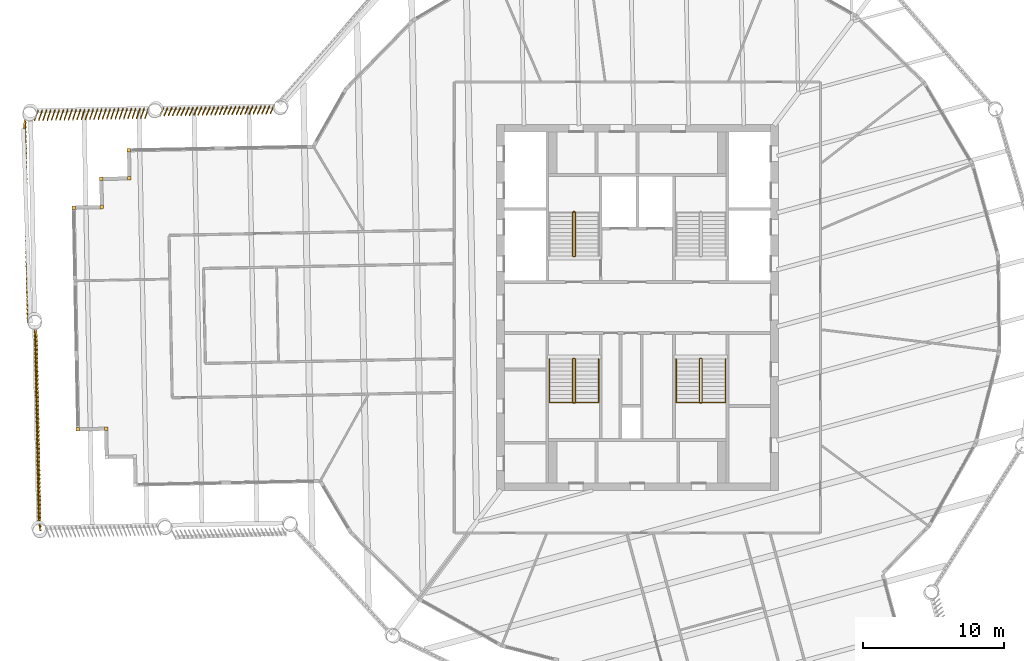
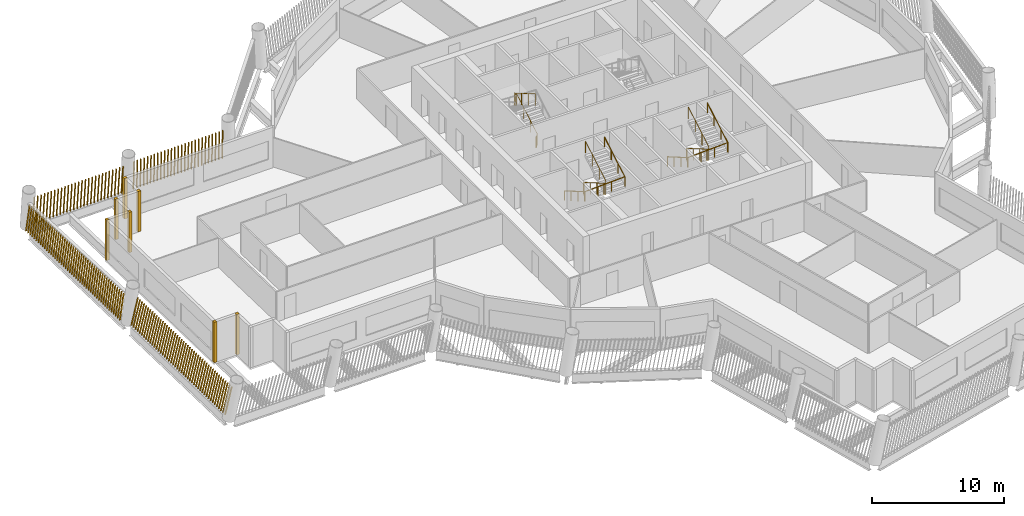
# One storey, part 12 of 15: 11 shading devices, 5 railings.
"""IFC4 building model written with IfcOpenShell, lengths in metres."""

from ifc_helpers import new_model, si_unit, direction, frame, frame_2d, origin, origin_2d, place, context, subcontext, project, spatial, rectangle, circle, composite_profile, extrude, material, type_object, element, save


model = new_model("IFC4")

# Units and contexts
model_context = context("Model", 3, precision=1e-05, world=origin(), true_north=direction((0.0, 1.0)))
body_context = subcontext(model_context, "Body", "Model", "MODEL_VIEW")
ifc_project = project(units=[si_unit("LENGTHUNIT", "METRE"), si_unit("AREAUNIT", "SQUARE_METRE"), si_unit("VOLUMEUNIT", "CUBIC_METRE"), si_unit("PLANEANGLEUNIT", "RADIAN"), si_unit("MASSUNIT", "GRAM", prefix="KILO")], contexts=[model_context])

# Site, building, storey
site_placement = place(None, origin())
site = spatial("IfcSite", under=ifc_project, at=site_placement, CompositionType="ELEMENT")
building_placement = place(site_placement, origin())
building = spatial("IfcBuilding", under=site, at=building_placement, Name="Tarsis Ring Headquarters", CompositionType="ELEMENT")
storey_placement = place(building_placement, frame((0.0, 0.0, 290.300048828125)))
storey = spatial("IfcBuildingStorey", under=building, at=storey_placement, Name="L68", CompositionType="ELEMENT", Elevation=290.300048828125)

# Railings
ifc_material_1 = material(Name="Steel S355", Category="steel")
railing_type_1 = type_object("IfcRailingType", Name="Core stair guard 1100", PredefinedType="GUARDRAIL", material=ifc_material_1)
railing_1_placement = place(storey_placement, frame((-4.5400390625, 3.610107421875, 0.0)))
element("IfcRailing", 1, at=railing_1_placement, inside=storey, type_object=railing_type_1, Name="L68 ST1 stair guard 1", PredefinedType="GUARDRAIL", context=body_context, shape_type="SweptSolid", body=[
    extrude(circle(Radius=0.02392578125, at=origin_2d()), frame((0.0, 0.0, 1.076171875), z_axis=(1.0, 0.0, 0.0), x_axis=(0.0, 1.0, 0.0)), (0.0, 0.0, 1.0), 0.080078125),
    extrude(circle(Radius=0.02392578125, at=origin_2d()), frame((0.080078125, 0.0, 1.076171875), z_axis=(0.282693820306, 0.281314826061, 0.917031173188), x_axis=(-0.705375805398, 0.708833529934, 0.0)), (0.0, 0.0, 1.0), 0.177001953125),
    extrude(circle(Radius=0.02392578125, at=origin_2d()), frame((0.130126953125, 0.0498046875, 1.23828125), z_axis=(0.0, 0.864890721111, 0.501960198159), x_axis=(-1.0, 0.0, 0.0)), (0.0, 0.0, 1.0), 3.561279296875),
    extrude(circle(Radius=0.02392578125, at=origin_2d()), frame((0.130126953125, 3.1298828125, 3.02587890625), z_axis=(-0.707106781187, 0.707106781187, 0.0), x_axis=(-0.707106781187, -0.707106781187, 0.0)), (0.0, 0.0, 1.0), 0.07080078125),
    extrude(circle(Radius=0.02392578125, at=origin_2d()), frame((0.080078125, 3.179931640625, 3.02587890625), z_axis=(-1.0, 0.0, 0.0), x_axis=(0.0, -1.0, 0.0)), (0.0, 0.0, 1.0), 0.080078125),
    extrude(circle(Radius=0.02392578125, at=origin_2d()), frame((0.0, 3.179931640625, 3.02587890625), z_axis=(-0.282227285176, -0.282227285176, 0.916894497205), x_axis=(0.707106781187, -0.707106781187, 0.0)), (0.0, 0.0, 1.0), 0.17724609375),
    extrude(circle(Radius=0.02392578125, at=origin_2d()), frame((-0.050048828125, 3.1298828125, 3.1884765625), z_axis=(0.0, -0.864920483161, 0.501908913857), x_axis=(1.0, 0.0, 0.0)), (0.0, 0.0, 1.0), 3.56103515625),
    extrude(circle(Radius=0.02099609375, at=origin_2d()), origin(), (0.0, 0.0, 1.0), 1.052001953125),
    extrude(circle(Radius=0.02099609375, at=origin_2d()), frame((0.080078125, 0.0, 0.0)), (0.0, 0.0, 1.0), 1.052001953125),
    extrude(circle(Radius=0.02099609375, at=origin_2d()), frame((0.130126953125, 0.0498046875, 0.162353515625)), (0.0, 0.0, 1.0), 1.052001953125),
    extrude(circle(Radius=0.02099609375, at=origin_2d()), frame((0.130126953125, 1.076416015625, 0.75830078125)), (0.0, 0.0, 1.0), 1.052001953125),
    extrude(circle(Radius=0.02099609375, at=origin_2d()), frame((0.130126953125, 2.103271484375, 1.35400390625)), (0.0, 0.0, 1.0), 1.052001953125),
    extrude(circle(Radius=0.02099609375, at=origin_2d()), frame((0.130126953125, 3.1298828125, 1.949951171875)), (0.0, 0.0, 1.0), 1.052001953125),
    extrude(circle(Radius=0.02099609375, at=origin_2d()), frame((0.080078125, 3.179931640625, 1.949951171875)), (0.0, 0.0, 1.0), 1.052001953125),
    extrude(circle(Radius=0.02099609375, at=origin_2d()), frame((0.0, 3.179931640625, 1.949951171875)), (0.0, 0.0, 1.0), 1.052001953125),
    extrude(circle(Radius=0.02099609375, at=origin_2d()), frame((-0.050048828125, 3.1298828125, 2.112548828125)), (0.0, 0.0, 1.0), 1.052001953125),
    extrude(circle(Radius=0.02099609375, at=origin_2d()), frame((-0.050048828125, 2.103271484375, 2.708251953125)), (0.0, 0.0, 1.0), 1.052001953125),
    extrude(circle(Radius=0.02099609375, at=origin_2d()), frame((-0.050048828125, 1.076416015625, 3.30419921875)), (0.0, 0.0, 1.0), 1.052001953125),
    extrude(circle(Radius=0.02099609375, at=origin_2d()), frame((-0.050048828125, 0.0498046875, 3.89990234375)), (0.0, 0.0, 1.0), 1.052001953125),
])
railing_2_placement = place(storey_placement, frame((-4.4599609375, -3.610107421875, 0.0)))
element("IfcRailing", 2, at=railing_2_placement, inside=storey, type_object=railing_type_1, Name="L68 ST3 stair guard 1", PredefinedType="GUARDRAIL", context=body_context, shape_type="SweptSolid", body=[
    extrude(circle(Radius=0.02392578125, at=origin_2d()), frame((0.0, 0.0, 1.076171875), z_axis=(-1.0, 0.0, 0.0), x_axis=(0.0, -1.0, 0.0)), (0.0, 0.0, 1.0), 0.080078125),
    extrude(circle(Radius=0.02392578125, at=origin_2d()), frame((-0.080078125, 0.0, 1.076171875), z_axis=(-0.282693820306, -0.281314826061, 0.917031173188), x_axis=(0.705375805398, -0.708833529934, 0.0)), (0.0, 0.0, 1.0), 0.177001953125),
    extrude(circle(Radius=0.02392578125, at=origin_2d()), frame((-0.130126953125, -0.0498046875, 1.23828125), z_axis=(0.0, -0.864890721111, 0.501960198159), x_axis=(1.0, 0.0, 0.0)), (0.0, 0.0, 1.0), 3.561279296875),
    extrude(circle(Radius=0.02392578125, at=origin_2d()), frame((-0.130126953125, -3.1298828125, 3.02587890625), z_axis=(0.707106781187, -0.707106781187, 0.0), x_axis=(0.707106781187, 0.707106781187, 0.0)), (0.0, 0.0, 1.0), 0.07080078125),
    extrude(circle(Radius=0.02392578125, at=origin_2d()), frame((-0.080078125, -3.179931640625, 3.02587890625), z_axis=(1.0, 0.0, 0.0), x_axis=(0.0, 1.0, 0.0)), (0.0, 0.0, 1.0), 0.080078125),
    extrude(circle(Radius=0.02392578125, at=origin_2d()), frame((0.0, -3.179931640625, 3.02587890625), z_axis=(0.282227285176, 0.282227285176, 0.916894497205), x_axis=(-0.707106781187, 0.707106781187, 0.0)), (0.0, 0.0, 1.0), 0.17724609375),
    extrude(circle(Radius=0.02392578125, at=origin_2d()), frame((0.050048828125, -3.1298828125, 3.1884765625), z_axis=(0.0, 0.864920483161, 0.501908913857), x_axis=(-1.0, 0.0, 0.0)), (0.0, 0.0, 1.0), 3.56103515625),
    extrude(circle(Radius=0.02099609375, at=origin_2d()), origin(), (0.0, 0.0, 1.0), 1.052001953125),
    extrude(circle(Radius=0.02099609375, at=origin_2d()), frame((-0.080078125, 0.0, 0.0)), (0.0, 0.0, 1.0), 1.052001953125),
    extrude(circle(Radius=0.02099609375, at=origin_2d()), frame((-0.130126953125, -0.0498046875, 0.162353515625)), (0.0, 0.0, 1.0), 1.052001953125),
    extrude(circle(Radius=0.02099609375, at=origin_2d()), frame((-0.130126953125, -1.076416015625, 0.75830078125)), (0.0, 0.0, 1.0), 1.052001953125),
    extrude(circle(Radius=0.02099609375, at=origin_2d()), frame((-0.130126953125, -2.103271484375, 1.35400390625)), (0.0, 0.0, 1.0), 1.052001953125),
    extrude(circle(Radius=0.02099609375, at=origin_2d()), frame((-0.130126953125, -3.1298828125, 1.949951171875)), (0.0, 0.0, 1.0), 1.052001953125),
    extrude(circle(Radius=0.02099609375, at=origin_2d()), frame((-0.080078125, -3.179931640625, 1.949951171875)), (0.0, 0.0, 1.0), 1.052001953125),
    extrude(circle(Radius=0.02099609375, at=origin_2d()), frame((0.0, -3.179931640625, 1.949951171875)), (0.0, 0.0, 1.0), 1.052001953125),
    extrude(circle(Radius=0.02099609375, at=origin_2d()), frame((0.050048828125, -3.1298828125, 2.112548828125)), (0.0, 0.0, 1.0), 1.052001953125),
    extrude(circle(Radius=0.02099609375, at=origin_2d()), frame((0.050048828125, -2.103271484375, 2.708251953125)), (0.0, 0.0, 1.0), 1.052001953125),
    extrude(circle(Radius=0.02099609375, at=origin_2d()), frame((0.050048828125, -1.076416015625, 3.30419921875)), (0.0, 0.0, 1.0), 1.052001953125),
    extrude(circle(Radius=0.02099609375, at=origin_2d()), frame((0.050048828125, -0.0498046875, 3.89990234375)), (0.0, 0.0, 1.0), 1.052001953125),
])
railing_3_placement = place(storey_placement, frame((4.5400390625, -3.610107421875, 0.0)))
element("IfcRailing", 3, at=railing_3_placement, inside=storey, type_object=railing_type_1, Name="L68 ST4 stair guard 1", PredefinedType="GUARDRAIL", context=body_context, shape_type="SweptSolid", body=[
    extrude(circle(Radius=0.02392578125, at=origin_2d()), frame((0.0, 0.0, 1.076171875), z_axis=(-1.0, 0.0, 0.0), x_axis=(0.0, -1.0, 0.0)), (0.0, 0.0, 1.0), 0.080078125),
    extrude(circle(Radius=0.02392578125, at=origin_2d()), frame((-0.080078125, 0.0, 1.076171875), z_axis=(-0.282693820306, -0.281314826061, 0.917031173188), x_axis=(0.705375805398, -0.708833529934, 0.0)), (0.0, 0.0, 1.0), 0.177001953125),
    extrude(circle(Radius=0.02392578125, at=origin_2d()), frame((-0.130126953125, -0.0498046875, 1.23828125), z_axis=(0.0, -0.864890721111, 0.501960198159), x_axis=(1.0, 0.0, 0.0)), (0.0, 0.0, 1.0), 3.561279296875),
    extrude(circle(Radius=0.02392578125, at=origin_2d()), frame((-0.130126953125, -3.1298828125, 3.02587890625), z_axis=(0.707106781187, -0.707106781187, 0.0), x_axis=(0.707106781187, 0.707106781187, 0.0)), (0.0, 0.0, 1.0), 0.07080078125),
    extrude(circle(Radius=0.02392578125, at=origin_2d()), frame((-0.080078125, -3.179931640625, 3.02587890625), z_axis=(1.0, 0.0, 0.0), x_axis=(0.0, 1.0, 0.0)), (0.0, 0.0, 1.0), 0.080078125),
    extrude(circle(Radius=0.02392578125, at=origin_2d()), frame((0.0, -3.179931640625, 3.02587890625), z_axis=(0.282227285176, 0.282227285176, 0.916894497205), x_axis=(-0.707106781187, 0.707106781187, 0.0)), (0.0, 0.0, 1.0), 0.17724609375),
    extrude(circle(Radius=0.02392578125, at=origin_2d()), frame((0.050048828125, -3.1298828125, 3.1884765625), z_axis=(0.0, 0.864920483161, 0.501908913857), x_axis=(-1.0, 0.0, 0.0)), (0.0, 0.0, 1.0), 3.56103515625),
    extrude(circle(Radius=0.02099609375, at=origin_2d()), origin(), (0.0, 0.0, 1.0), 1.052001953125),
    extrude(circle(Radius=0.02099609375, at=origin_2d()), frame((-0.080078125, 0.0, 0.0)), (0.0, 0.0, 1.0), 1.052001953125),
    extrude(circle(Radius=0.02099609375, at=origin_2d()), frame((-0.130126953125, -0.0498046875, 0.162353515625)), (0.0, 0.0, 1.0), 1.052001953125),
    extrude(circle(Radius=0.02099609375, at=origin_2d()), frame((-0.130126953125, -1.076416015625, 0.75830078125)), (0.0, 0.0, 1.0), 1.052001953125),
    extrude(circle(Radius=0.02099609375, at=origin_2d()), frame((-0.130126953125, -2.103271484375, 1.35400390625)), (0.0, 0.0, 1.0), 1.052001953125),
    extrude(circle(Radius=0.02099609375, at=origin_2d()), frame((-0.130126953125, -3.1298828125, 1.949951171875)), (0.0, 0.0, 1.0), 1.052001953125),
    extrude(circle(Radius=0.02099609375, at=origin_2d()), frame((-0.080078125, -3.179931640625, 1.949951171875)), (0.0, 0.0, 1.0), 1.052001953125),
    extrude(circle(Radius=0.02099609375, at=origin_2d()), frame((0.0, -3.179931640625, 1.949951171875)), (0.0, 0.0, 1.0), 1.052001953125),
    extrude(circle(Radius=0.02099609375, at=origin_2d()), frame((0.050048828125, -3.1298828125, 2.112548828125)), (0.0, 0.0, 1.0), 1.052001953125),
    extrude(circle(Radius=0.02099609375, at=origin_2d()), frame((0.050048828125, -2.103271484375, 2.708251953125)), (0.0, 0.0, 1.0), 1.052001953125),
    extrude(circle(Radius=0.02099609375, at=origin_2d()), frame((0.050048828125, -1.076416015625, 3.30419921875)), (0.0, 0.0, 1.0), 1.052001953125),
    extrude(circle(Radius=0.02099609375, at=origin_2d()), frame((0.050048828125, -0.0498046875, 3.89990234375)), (0.0, 0.0, 1.0), 1.052001953125),
])
railing_type_2 = type_object("IfcRailingType", Name="Core stair handrail 900", PredefinedType="HANDRAIL", material=ifc_material_1)
railing_4_placement = place(storey_placement, frame((-6.25, -3.659912109375, 0.162353515625)))
element("IfcRailing", 4, at=railing_4_placement, inside=storey, type_object=railing_type_2, Name="L68 ST3 stair handrail 1", PredefinedType="HANDRAIL", context=body_context, shape_type="SweptSolid", body=[
    extrude(circle(Radius=0.02392578125, at=origin_2d()), frame((0.0, 0.0, 0.8759765625), z_axis=(0.0, -0.864890721111, 0.501960198159), x_axis=(1.0, 0.0, 0.0)), (0.0, 0.0, 1.0), 3.561279296875),
    extrude(circle(Radius=0.02392578125, at=origin_2d()), frame((0.0, -3.080078125, 2.66357421875), z_axis=(0.998922641604, 0.0, 0.046406422943), x_axis=(0.0, 1.0, 0.0)), (0.0, 0.0, 1.0), 3.503662109375),
    extrude(circle(Radius=0.02392578125, at=origin_2d()), frame((3.5, -3.080078125, 2.826171875), z_axis=(0.0, 0.864920483161, 0.501908913857), x_axis=(-1.0, 0.0, 0.0)), (0.0, 0.0, 1.0), 3.56103515625),
    extrude(circle(Radius=0.02099609375, at=origin_2d()), origin(), (0.0, 0.0, 1.0), 0.851806640625),
    extrude(circle(Radius=0.02099609375, at=origin_2d()), frame((0.0, -1.026611328125, 0.595947265625)), (0.0, 0.0, 1.0), 0.851806640625),
    extrude(circle(Radius=0.02099609375, at=origin_2d()), frame((0.0, -2.053466796875, 1.191650390625)), (0.0, 0.0, 1.0), 0.851806640625),
    extrude(circle(Radius=0.02099609375, at=origin_2d()), frame((0.0, -3.080078125, 1.78759765625)), (0.0, 0.0, 1.0), 0.851806640625),
    extrude(circle(Radius=0.02099609375, at=origin_2d()), frame((1.166748046875, -3.080078125, 1.841796875)), (0.0, 0.0, 1.0), 0.851806640625),
    extrude(circle(Radius=0.02099609375, at=origin_2d()), frame((2.333251953125, -3.080078125, 1.89599609375)), (0.0, 0.0, 1.0), 0.851806640625),
    extrude(circle(Radius=0.02099609375, at=origin_2d()), frame((3.5, -3.080078125, 1.9501953125)), (0.0, 0.0, 1.0), 0.851806640625),
    extrude(circle(Radius=0.02099609375, at=origin_2d()), frame((3.5, -2.053466796875, 2.5458984375)), (0.0, 0.0, 1.0), 0.851806640625),
    extrude(circle(Radius=0.02099609375, at=origin_2d()), frame((3.5, -1.026611328125, 3.141845703125)), (0.0, 0.0, 1.0), 0.851806640625),
    extrude(circle(Radius=0.02099609375, at=origin_2d()), frame((3.5, 0.0, 3.737548828125)), (0.0, 0.0, 1.0), 0.851806640625),
])
railing_5_placement = place(storey_placement, frame((2.75, -3.659912109375, 0.162353515625)))
element("IfcRailing", 5, at=railing_5_placement, inside=storey, type_object=railing_type_2, Name="L68 ST4 stair handrail 1", PredefinedType="HANDRAIL", context=body_context, shape_type="SweptSolid", body=[
    extrude(circle(Radius=0.02392578125, at=origin_2d()), frame((0.0, 0.0, 0.8759765625), z_axis=(0.0, -0.864890721111, 0.501960198159), x_axis=(1.0, 0.0, 0.0)), (0.0, 0.0, 1.0), 3.561279296875),
    extrude(circle(Radius=0.02392578125, at=origin_2d()), frame((0.0, -3.080078125, 2.66357421875), z_axis=(0.998922641604, 0.0, 0.046406422943), x_axis=(0.0, 1.0, 0.0)), (0.0, 0.0, 1.0), 3.503662109375),
    extrude(circle(Radius=0.02392578125, at=origin_2d()), frame((3.5, -3.080078125, 2.826171875), z_axis=(0.0, 0.864920483161, 0.501908913857), x_axis=(-1.0, 0.0, 0.0)), (0.0, 0.0, 1.0), 3.56103515625),
    extrude(circle(Radius=0.02099609375, at=origin_2d()), origin(), (0.0, 0.0, 1.0), 0.851806640625),
    extrude(circle(Radius=0.02099609375, at=origin_2d()), frame((0.0, -1.026611328125, 0.595947265625)), (0.0, 0.0, 1.0), 0.851806640625),
    extrude(circle(Radius=0.02099609375, at=origin_2d()), frame((0.0, -2.053466796875, 1.191650390625)), (0.0, 0.0, 1.0), 0.851806640625),
    extrude(circle(Radius=0.02099609375, at=origin_2d()), frame((0.0, -3.080078125, 1.78759765625)), (0.0, 0.0, 1.0), 0.851806640625),
    extrude(circle(Radius=0.02099609375, at=origin_2d()), frame((1.166748046875, -3.080078125, 1.841796875)), (0.0, 0.0, 1.0), 0.851806640625),
    extrude(circle(Radius=0.02099609375, at=origin_2d()), frame((2.333251953125, -3.080078125, 1.89599609375)), (0.0, 0.0, 1.0), 0.851806640625),
    extrude(circle(Radius=0.02099609375, at=origin_2d()), frame((3.5, -3.080078125, 1.9501953125)), (0.0, 0.0, 1.0), 0.851806640625),
    extrude(circle(Radius=0.02099609375, at=origin_2d()), frame((3.5, -2.053466796875, 2.5458984375)), (0.0, 0.0, 1.0), 0.851806640625),
    extrude(circle(Radius=0.02099609375, at=origin_2d()), frame((3.5, -1.026611328125, 3.141845703125)), (0.0, 0.0, 1.0), 0.851806640625),
    extrude(circle(Radius=0.02099609375, at=origin_2d()), frame((3.5, 0.0, 3.737548828125)), (0.0, 0.0, 1.0), 0.851806640625),
])

# Shading devices
ifc_material_2 = material(Name="Terracotta baguette", Category="masonry")
shading_device_type_1 = type_object("IfcShadingDeviceType", Name="Terracotta baguette screen", PredefinedType="USERDEFINED", material=ifc_material_2)
shading_device_1_placement = place(storey_placement, frame((-25.780029296875, 14.298828125, 0.0), z_axis=(0.0, 0.0, 1.0), x_axis=(-0.999814626008, -0.019556956159, 0.0)))
element("IfcShadingDevice", 6, at=shading_device_1_placement, inside=storey, type_object=shading_device_type_1, Name="Baguette screen L68-15", ObjectType="Terracotta baguette screen", PredefinedType="USERDEFINED", context=body_context, shape_type="SweptSolid", body=[
    extrude(composite_profile([rectangle(XDim=0.06005859375, YDim=0.1201171875, at=frame_2d((0.030029296875, 0.0))), rectangle(XDim=0.06005859375, YDim=0.1201171875, at=frame_2d((0.33154296875, 0.0))), rectangle(XDim=0.06005859375, YDim=0.1201171875, at=frame_2d((0.63330078125, 0.0))), rectangle(XDim=0.06005859375, YDim=0.1201171875, at=frame_2d((0.934814453125, 0.0))), rectangle(XDim=0.06005859375, YDim=0.1201171875, at=frame_2d((1.236572265625, 0.0))), rectangle(XDim=0.06005859375, YDim=0.1201171875, at=frame_2d((1.5380859375, 0.0))), rectangle(XDim=0.06005859375, YDim=0.1201171875, at=frame_2d((1.83984375, 0.0))), rectangle(XDim=0.06005859375, YDim=0.1201171875, at=frame_2d((2.141357421875, 0.0))), rectangle(XDim=0.06005859375, YDim=0.1201171875, at=frame_2d((2.443115234375, 0.0))), rectangle(XDim=0.06005859375, YDim=0.1201171875, at=frame_2d((2.74462890625, 0.0))), rectangle(XDim=0.06005859375, YDim=0.1201171875, at=frame_2d((3.04638671875, 0.0))), rectangle(XDim=0.06005859375, YDim=0.1201171875, at=frame_2d((3.347900390625, 0.0))), rectangle(XDim=0.06005859375, YDim=0.1201171875, at=frame_2d((3.649658203125, 0.0))), rectangle(XDim=0.06005859375, YDim=0.1201171875, at=frame_2d((3.951171875, 0.0))), rectangle(XDim=0.06005859375, YDim=0.1201171875, at=frame_2d((4.252685546875, 0.0))), rectangle(XDim=0.06005859375, YDim=0.1201171875, at=frame_2d((4.554443359375, 0.0))), rectangle(XDim=0.06005859375, YDim=0.1201171875, at=frame_2d((4.85595703125, 0.0))), rectangle(XDim=0.06005859375, YDim=0.1201171875, at=frame_2d((5.15771484375, 0.0))), rectangle(XDim=0.06005859375, YDim=0.1201171875, at=frame_2d((5.459228515625, 0.0))), rectangle(XDim=0.06005859375, YDim=0.1201171875, at=frame_2d((5.760986328125, 0.0))), rectangle(XDim=0.06005859375, YDim=0.1201171875, at=frame_2d((6.0625, 0.0))), rectangle(XDim=0.06005859375, YDim=0.1201171875, at=frame_2d((6.3642578125, 0.0))), rectangle(XDim=0.06005859375, YDim=0.1201171875, at=frame_2d((6.665771484375, 0.0))), rectangle(XDim=0.06005859375, YDim=0.1201171875, at=frame_2d((6.967529296875, 0.0))), rectangle(XDim=0.06005859375, YDim=0.1201171875, at=frame_2d((7.26904296875, 0.0))), rectangle(XDim=0.06005859375, YDim=0.1201171875, at=frame_2d((7.57080078125, 0.0))), rectangle(XDim=0.06005859375, YDim=0.1201171875, at=frame_2d((7.872314453125, 0.0)))]), origin(), (0.083961813617, 0.170747216463, 0.981731023206), 3.02294921875),
])
shading_device_2_placement = place(storey_placement, frame((-34.680419921875, 14.124755859375, 0.0), z_axis=(0.0, 0.0, 1.0), x_axis=(-0.999814631735, -0.019525457242, 0.0)))
element("IfcShadingDevice", 7, at=shading_device_2_placement, inside=storey, type_object=shading_device_type_1, Name="Baguette screen L68-16", ObjectType="Terracotta baguette screen", PredefinedType="USERDEFINED", context=body_context, shape_type="SweptSolid", body=[
    extrude(composite_profile([rectangle(XDim=0.06005859375, YDim=0.1201171875, at=frame_2d((0.030029296875, 0.0))), rectangle(XDim=0.06005859375, YDim=0.1201171875, at=frame_2d((0.33154296875, 0.0))), rectangle(XDim=0.06005859375, YDim=0.1201171875, at=frame_2d((0.63330078125, 0.0))), rectangle(XDim=0.06005859375, YDim=0.1201171875, at=frame_2d((0.934814453125, 0.0))), rectangle(XDim=0.06005859375, YDim=0.1201171875, at=frame_2d((1.236572265625, 0.0))), rectangle(XDim=0.06005859375, YDim=0.1201171875, at=frame_2d((1.5380859375, 0.0))), rectangle(XDim=0.06005859375, YDim=0.1201171875, at=frame_2d((1.83984375, 0.0))), rectangle(XDim=0.06005859375, YDim=0.1201171875, at=frame_2d((2.141357421875, 0.0))), rectangle(XDim=0.06005859375, YDim=0.1201171875, at=frame_2d((2.443115234375, 0.0))), rectangle(XDim=0.06005859375, YDim=0.1201171875, at=frame_2d((2.74462890625, 0.0))), rectangle(XDim=0.06005859375, YDim=0.1201171875, at=frame_2d((3.04638671875, 0.0))), rectangle(XDim=0.06005859375, YDim=0.1201171875, at=frame_2d((3.347900390625, 0.0))), rectangle(XDim=0.06005859375, YDim=0.1201171875, at=frame_2d((3.649658203125, 0.0))), rectangle(XDim=0.06005859375, YDim=0.1201171875, at=frame_2d((3.951171875, 0.0))), rectangle(XDim=0.06005859375, YDim=0.1201171875, at=frame_2d((4.252685546875, 0.0))), rectangle(XDim=0.06005859375, YDim=0.1201171875, at=frame_2d((4.554443359375, 0.0))), rectangle(XDim=0.06005859375, YDim=0.1201171875, at=frame_2d((4.85595703125, 0.0))), rectangle(XDim=0.06005859375, YDim=0.1201171875, at=frame_2d((5.15771484375, 0.0))), rectangle(XDim=0.06005859375, YDim=0.1201171875, at=frame_2d((5.459228515625, 0.0))), rectangle(XDim=0.06005859375, YDim=0.1201171875, at=frame_2d((5.760986328125, 0.0))), rectangle(XDim=0.06005859375, YDim=0.1201171875, at=frame_2d((6.0625, 0.0))), rectangle(XDim=0.06005859375, YDim=0.1201171875, at=frame_2d((6.3642578125, 0.0))), rectangle(XDim=0.06005859375, YDim=0.1201171875, at=frame_2d((6.665771484375, 0.0))), rectangle(XDim=0.06005859375, YDim=0.1201171875, at=frame_2d((6.967529296875, 0.0))), rectangle(XDim=0.06005859375, YDim=0.1201171875, at=frame_2d((7.26904296875, 0.0))), rectangle(XDim=0.06005859375, YDim=0.1201171875, at=frame_2d((7.57080078125, 0.0))), rectangle(XDim=0.06005859375, YDim=0.1201171875, at=frame_2d((7.872314453125, 0.0)))]), origin(), (0.082679425465, 0.219943370468, 0.972002585589), 3.05322265625),
])
shading_device_3_placement = place(storey_placement, frame((-43.4462890625, 13.453369140625, 0.0), z_axis=(0.0, 0.0, 1.0), x_axis=(0.01954887218, -0.999805395843, 0.0)))
element("IfcShadingDevice", 8, at=shading_device_3_placement, inside=storey, type_object=shading_device_type_1, Name="Baguette screen L68-17", ObjectType="Terracotta baguette screen", PredefinedType="USERDEFINED", context=body_context, shape_type="SweptSolid", body=[
    extrude(composite_profile([rectangle(XDim=0.06005859375, YDim=0.1201171875, at=frame_2d((0.030029296875, 0.0))), rectangle(XDim=0.06005859375, YDim=0.1201171875, at=frame_2d((0.33544921875, 0.0))), rectangle(XDim=0.06005859375, YDim=0.1201171875, at=frame_2d((0.640625, 0.0))), rectangle(XDim=0.06005859375, YDim=0.1201171875, at=frame_2d((0.946044921875, 0.0))), rectangle(XDim=0.06005859375, YDim=0.1201171875, at=frame_2d((1.25146484375, 0.0))), rectangle(XDim=0.06005859375, YDim=0.1201171875, at=frame_2d((1.556640625, 0.0))), rectangle(XDim=0.06005859375, YDim=0.1201171875, at=frame_2d((1.862060546875, 0.0))), rectangle(XDim=0.06005859375, YDim=0.1201171875, at=frame_2d((2.16748046875, 0.0))), rectangle(XDim=0.06005859375, YDim=0.1201171875, at=frame_2d((2.47265625, 0.0))), rectangle(XDim=0.06005859375, YDim=0.1201171875, at=frame_2d((2.778076171875, 0.0))), rectangle(XDim=0.06005859375, YDim=0.1201171875, at=frame_2d((3.08349609375, 0.0))), rectangle(XDim=0.06005859375, YDim=0.1201171875, at=frame_2d((3.388671875, 0.0))), rectangle(XDim=0.06005859375, YDim=0.1201171875, at=frame_2d((3.694091796875, 0.0))), rectangle(XDim=0.06005859375, YDim=0.1201171875, at=frame_2d((3.99951171875, 0.0))), rectangle(XDim=0.06005859375, YDim=0.1201171875, at=frame_2d((4.3046875, 0.0))), rectangle(XDim=0.06005859375, YDim=0.1201171875, at=frame_2d((4.610107421875, 0.0))), rectangle(XDim=0.06005859375, YDim=0.1201171875, at=frame_2d((4.91552734375, 0.0))), rectangle(XDim=0.06005859375, YDim=0.1201171875, at=frame_2d((5.220703125, 0.0))), rectangle(XDim=0.06005859375, YDim=0.1201171875, at=frame_2d((5.526123046875, 0.0))), rectangle(XDim=0.06005859375, YDim=0.1201171875, at=frame_2d((5.83154296875, 0.0))), rectangle(XDim=0.06005859375, YDim=0.1201171875, at=frame_2d((6.13671875, 0.0))), rectangle(XDim=0.06005859375, YDim=0.1201171875, at=frame_2d((6.442138671875, 0.0))), rectangle(XDim=0.06005859375, YDim=0.1201171875, at=frame_2d((6.74755859375, 0.0))), rectangle(XDim=0.06005859375, YDim=0.1201171875, at=frame_2d((7.052734375, 0.0))), rectangle(XDim=0.06005859375, YDim=0.1201171875, at=frame_2d((7.358154296875, 0.0))), rectangle(XDim=0.06005859375, YDim=0.1201171875, at=frame_2d((7.66357421875, 0.0))), rectangle(XDim=0.06005859375, YDim=0.1201171875, at=frame_2d((7.96875, 0.0))), rectangle(XDim=0.06005859375, YDim=0.1201171875, at=frame_2d((8.274169921875, 0.0))), rectangle(XDim=0.06005859375, YDim=0.1201171875, at=frame_2d((8.57958984375, 0.0))), rectangle(XDim=0.06005859375, YDim=0.1201171875, at=frame_2d((8.884765625, 0.0))), rectangle(XDim=0.06005859375, YDim=0.1201171875, at=frame_2d((9.190185546875, 0.0))), rectangle(XDim=0.06005859375, YDim=0.1201171875, at=frame_2d((9.49560546875, 0.0))), rectangle(XDim=0.06005859375, YDim=0.1201171875, at=frame_2d((9.80078125, 0.0))), rectangle(XDim=0.06005859375, YDim=0.1201171875, at=frame_2d((10.106201171875, 0.0))), rectangle(XDim=0.06005859375, YDim=0.1201171875, at=frame_2d((10.41162109375, 0.0))), rectangle(XDim=0.06005859375, YDim=0.1201171875, at=frame_2d((10.716796875, 0.0))), rectangle(XDim=0.06005859375, YDim=0.1201171875, at=frame_2d((11.022216796875, 0.0))), rectangle(XDim=0.06005859375, YDim=0.1201171875, at=frame_2d((11.32763671875, 0.0))), rectangle(XDim=0.06005859375, YDim=0.1201171875, at=frame_2d((11.6328125, 0.0))), rectangle(XDim=0.06005859375, YDim=0.1201171875, at=frame_2d((11.938232421875, 0.0))), rectangle(XDim=0.06005859375, YDim=0.1201171875, at=frame_2d((12.24365234375, 0.0))), rectangle(XDim=0.06005859375, YDim=0.1201171875, at=frame_2d((12.548828125, 0.0))), rectangle(XDim=0.06005859375, YDim=0.1201171875, at=frame_2d((12.854248046875, 0.0))), rectangle(XDim=0.06005859375, YDim=0.1201171875, at=frame_2d((13.15966796875, 0.0))), rectangle(XDim=0.06005859375, YDim=0.1201171875, at=frame_2d((13.46484375, 0.0))), rectangle(XDim=0.06005859375, YDim=0.1201171875, at=frame_2d((13.770263671875, 0.0)))]), origin(), (0.246236473739, -0.039995659289, 0.968384193509), 3.064697265625),
])
shading_device_4_placement = place(storey_placement, frame((-42.781982421875, -1.33642578125, 0.0), z_axis=(0.0, 0.0, 1.0), x_axis=(0.01954887218, -0.999805395843, 0.0)))
element("IfcShadingDevice", 9, at=shading_device_4_placement, inside=storey, type_object=shading_device_type_1, Name="Baguette screen L68-18", ObjectType="Terracotta baguette screen", PredefinedType="USERDEFINED", context=body_context, shape_type="SweptSolid", body=[
    extrude(composite_profile([rectangle(XDim=0.06005859375, YDim=0.1201171875, at=frame_2d((0.030029296875, 0.0))), rectangle(XDim=0.06005859375, YDim=0.1201171875, at=frame_2d((0.33544921875, 0.0))), rectangle(XDim=0.06005859375, YDim=0.1201171875, at=frame_2d((0.640625, 0.0))), rectangle(XDim=0.06005859375, YDim=0.1201171875, at=frame_2d((0.946044921875, 0.0))), rectangle(XDim=0.06005859375, YDim=0.1201171875, at=frame_2d((1.25146484375, 0.0))), rectangle(XDim=0.06005859375, YDim=0.1201171875, at=frame_2d((1.556640625, 0.0))), rectangle(XDim=0.06005859375, YDim=0.1201171875, at=frame_2d((1.862060546875, 0.0))), rectangle(XDim=0.06005859375, YDim=0.1201171875, at=frame_2d((2.16748046875, 0.0))), rectangle(XDim=0.06005859375, YDim=0.1201171875, at=frame_2d((2.47265625, 0.0))), rectangle(XDim=0.06005859375, YDim=0.1201171875, at=frame_2d((2.778076171875, 0.0))), rectangle(XDim=0.06005859375, YDim=0.1201171875, at=frame_2d((3.08349609375, 0.0))), rectangle(XDim=0.06005859375, YDim=0.1201171875, at=frame_2d((3.388671875, 0.0))), rectangle(XDim=0.06005859375, YDim=0.1201171875, at=frame_2d((3.694091796875, 0.0))), rectangle(XDim=0.06005859375, YDim=0.1201171875, at=frame_2d((3.99951171875, 0.0))), rectangle(XDim=0.06005859375, YDim=0.1201171875, at=frame_2d((4.3046875, 0.0))), rectangle(XDim=0.06005859375, YDim=0.1201171875, at=frame_2d((4.610107421875, 0.0))), rectangle(XDim=0.06005859375, YDim=0.1201171875, at=frame_2d((4.91552734375, 0.0))), rectangle(XDim=0.06005859375, YDim=0.1201171875, at=frame_2d((5.220703125, 0.0))), rectangle(XDim=0.06005859375, YDim=0.1201171875, at=frame_2d((5.526123046875, 0.0))), rectangle(XDim=0.06005859375, YDim=0.1201171875, at=frame_2d((5.83154296875, 0.0))), rectangle(XDim=0.06005859375, YDim=0.1201171875, at=frame_2d((6.13671875, 0.0))), rectangle(XDim=0.06005859375, YDim=0.1201171875, at=frame_2d((6.442138671875, 0.0))), rectangle(XDim=0.06005859375, YDim=0.1201171875, at=frame_2d((6.74755859375, 0.0))), rectangle(XDim=0.06005859375, YDim=0.1201171875, at=frame_2d((7.052734375, 0.0))), rectangle(XDim=0.06005859375, YDim=0.1201171875, at=frame_2d((7.358154296875, 0.0))), rectangle(XDim=0.06005859375, YDim=0.1201171875, at=frame_2d((7.66357421875, 0.0))), rectangle(XDim=0.06005859375, YDim=0.1201171875, at=frame_2d((7.96875, 0.0))), rectangle(XDim=0.06005859375, YDim=0.1201171875, at=frame_2d((8.274169921875, 0.0))), rectangle(XDim=0.06005859375, YDim=0.1201171875, at=frame_2d((8.57958984375, 0.0))), rectangle(XDim=0.06005859375, YDim=0.1201171875, at=frame_2d((8.884765625, 0.0))), rectangle(XDim=0.06005859375, YDim=0.1201171875, at=frame_2d((9.190185546875, 0.0))), rectangle(XDim=0.06005859375, YDim=0.1201171875, at=frame_2d((9.49560546875, 0.0))), rectangle(XDim=0.06005859375, YDim=0.1201171875, at=frame_2d((9.80078125, 0.0))), rectangle(XDim=0.06005859375, YDim=0.1201171875, at=frame_2d((10.106201171875, 0.0))), rectangle(XDim=0.06005859375, YDim=0.1201171875, at=frame_2d((10.41162109375, 0.0))), rectangle(XDim=0.06005859375, YDim=0.1201171875, at=frame_2d((10.716796875, 0.0))), rectangle(XDim=0.06005859375, YDim=0.1201171875, at=frame_2d((11.022216796875, 0.0))), rectangle(XDim=0.06005859375, YDim=0.1201171875, at=frame_2d((11.32763671875, 0.0))), rectangle(XDim=0.06005859375, YDim=0.1201171875, at=frame_2d((11.6328125, 0.0))), rectangle(XDim=0.06005859375, YDim=0.1201171875, at=frame_2d((11.938232421875, 0.0))), rectangle(XDim=0.06005859375, YDim=0.1201171875, at=frame_2d((12.24365234375, 0.0))), rectangle(XDim=0.06005859375, YDim=0.1201171875, at=frame_2d((12.548828125, 0.0))), rectangle(XDim=0.06005859375, YDim=0.1201171875, at=frame_2d((12.854248046875, 0.0))), rectangle(XDim=0.06005859375, YDim=0.1201171875, at=frame_2d((13.15966796875, 0.0))), rectangle(XDim=0.06005859375, YDim=0.1201171875, at=frame_2d((13.46484375, 0.0))), rectangle(XDim=0.06005859375, YDim=0.1201171875, at=frame_2d((13.770263671875, 0.0)))]), origin(), (0.243492908126, 0.044290356651, 0.968890895819), 3.06298828125),
])
shading_device_type_2 = type_object("IfcShadingDeviceType", Name="Terracotta corner baguette 250x250", PredefinedType="USERDEFINED", material=ifc_material_2)
for number, where, z_axis, x_axis, name in (
    (10, (-36.100341796875, 11.17138671875, 0.0), (0.0, 0.0, 1.0), (-0.999808950379, -0.019546425295, 0.0), "Corner baguette L68-32"),
    (11, (-36.061279296875, 9.171875, 0.0), (0.0, 0.0, 1.0), (0.019546495095, -0.999808949015, 0.0), "Corner baguette L68-33"),
    (12, (-38.060791015625, 9.1328125, 0.0), (0.0, 0.0, 1.0), (-0.999808949015, -0.019546495095, 0.0), "Corner baguette L68-34"),
    (13, (-38.021728515625, 7.133056640625, 0.0), (0.0, 0.0, 1.0), (0.019547001143, -0.999808939121, 0.0), "Corner baguette L68-35"),
    (14, (-40.021240234375, 7.093994140625, 0.0), (0.0, 0.0, 1.0), (-0.999808949015, -0.019546495095, 0.0), "Corner baguette L68-36"),
    (15, (-39.71337890625, -8.65283203125, 0.0), (0.0, 0.0, 1.0), (0.019546495095, -0.999808949015, 0.0), "Corner baguette L68-37"),
    (16, (-37.7138671875, -8.61376953125, 0.0), (0.0, 0.0, 1.0), (0.999808948673, 0.019546512545, 0.0), "Corner baguette L68-38"),
):
    element("IfcShadingDevice", number, at=place(storey_placement, frame(where, z_axis=z_axis, x_axis=x_axis)), inside=storey, type_object=shading_device_type_2, Name=name, ObjectType="Terracotta corner baguette", PredefinedType="USERDEFINED", context=body_context, shape_type="SweptSolid", body=[
        extrude(rectangle(XDim=0.25, YDim=0.25, at=origin_2d()), origin(), (0.0, 0.0, 1.0), 3.739990234375),
    ])

save(model, "model.ifc")
